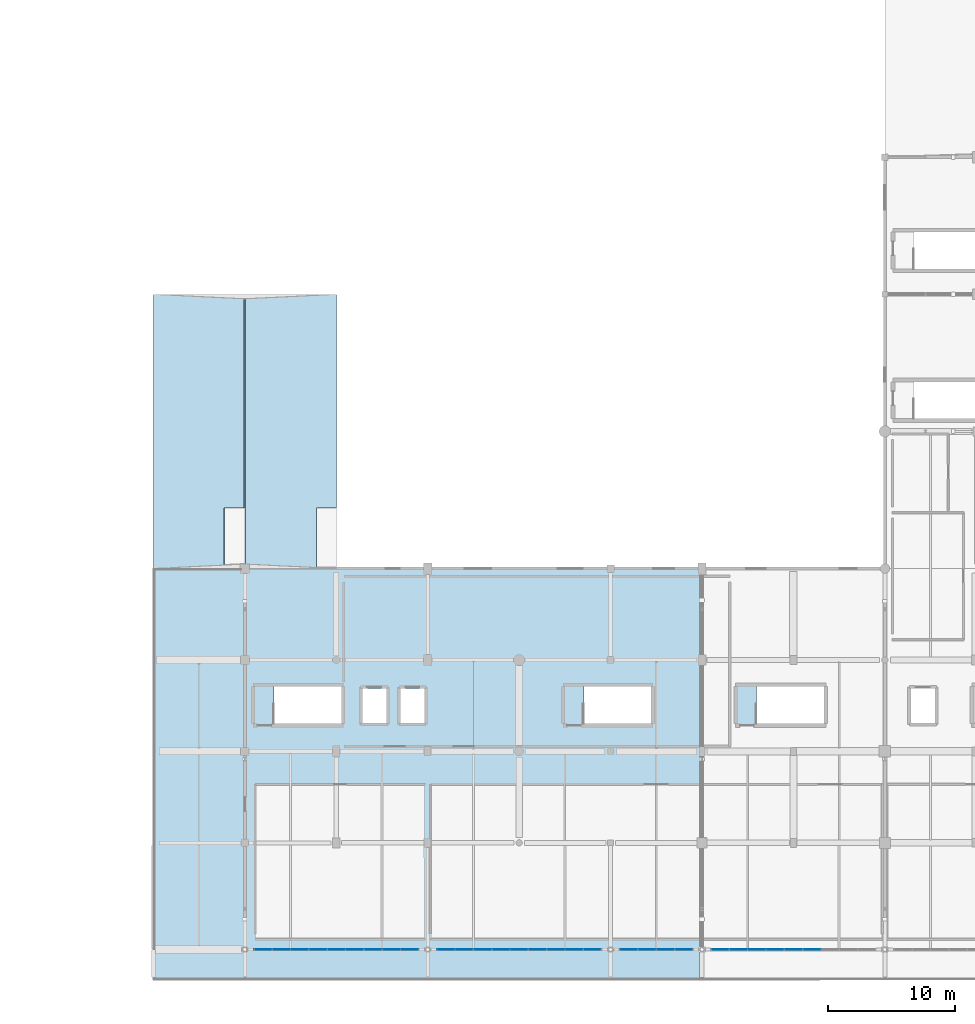
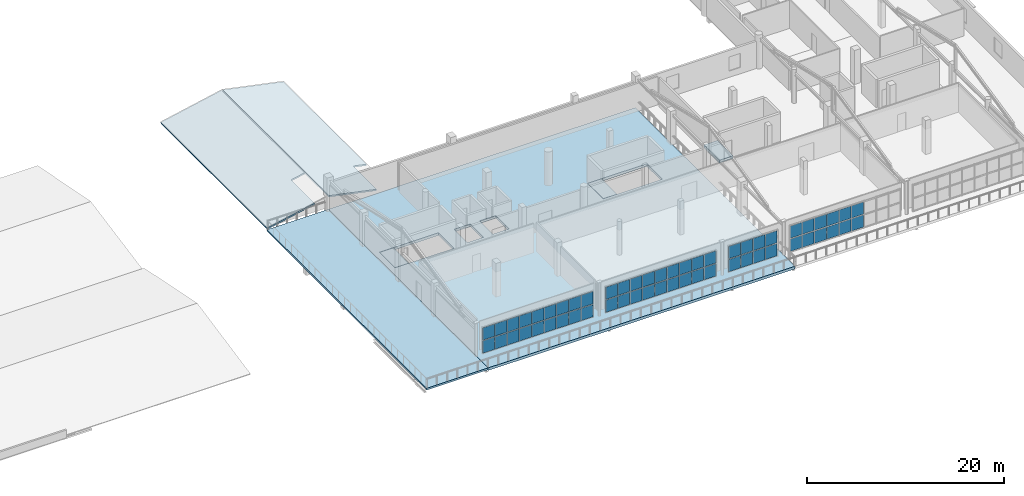
# One storey, part 22 of 41: 56 plates, 7 slabs, 4 elements without a shape of their own.
"""IFC4 building model written with IfcOpenShell, lengths in metres."""

from ifc_helpers import new_model, si_unit, direction, frame, origin, origin_2d, place, context, subcontext, project, spatial, polyline, rectangle, outline, extrude, material, layer, layer_set, type_object, element, aggregate, save


model = new_model("IFC4")

# Units and contexts
model_context = context("Model", 3, precision=1e-05, world=origin(), true_north=direction((0.0, 1.0)))
body_context = subcontext(model_context, "Body", "Model", "MODEL_VIEW")
ifc_project = project(units=[si_unit("LENGTHUNIT", "METRE"), si_unit("AREAUNIT", "SQUARE_METRE"), si_unit("VOLUMEUNIT", "CUBIC_METRE"), si_unit("PLANEANGLEUNIT", "RADIAN"), si_unit("MASSUNIT", "GRAM", prefix="KILO")], contexts=[model_context])

# Site, building, storey
site_placement = place(None, origin())
site = spatial("IfcSite", under=ifc_project, at=site_placement, CompositionType="ELEMENT")
building_placement = place(site_placement, origin())
building = spatial("IfcBuilding", under=site, at=building_placement, Name="Solanera Park Tramway Depot", CompositionType="ELEMENT")
storey_placement = place(building_placement, frame((0.0, 0.0, 13.199951171875)))
storey = spatial("IfcBuildingStorey", under=building, at=storey_placement, Name="L03", CompositionType="ELEMENT", Elevation=13.199951171875)

# Curtain wall, plates
ifc_material_1 = material(Name="Bronze-anodised thermally broken aluminium curtain wall", Category="aluminium")
curtain_wall_type = type_object("IfcCurtainWallType", Name="Cantilevered OCC Inclined Glazing Wall", PredefinedType="NOTDEFINED", material=ifc_material_1)
curtain_wall_1_placement = place(storey_placement, origin())
curtain_wall_1 = element("IfcCurtainWall", 1, at=curtain_wall_1_placement, inside=storey, type_object=curtain_wall_type, Name="L03 Cantilevered OCC Inclined Glazing Wall #121", PredefinedType="NOTDEFINED")
ifc_material_2 = material(Name="Low-E laminated solar-control double glazing", Category="glass")
ifc_layer_1 = layer(ifc_material_2, 0.028076171875)
ifc_layer_set_1 = layer_set([ifc_layer_1], Name="Low-E laminated solar-control double glazing")
plate_type = type_object("IfcPlateType", Name="Curtain Wall Double Glazing Panel 28", PredefinedType="CURTAIN_PANEL", material=ifc_layer_set_1)
plate_1_placement = place(storey_placement, frame((116.638427734375, 2.39990234375, 0.11181640625), z_axis=(0.0, 0.0, 1.0), x_axis=(1.0, 0.0, 0.0)))
plate_1 = element("IfcPlate", 2, at=plate_1_placement, type_object=plate_type, Name="CW-L03-121 Glazing Panel R1.C1", PredefinedType="CURTAIN_PANEL", context=body_context, shape_type="SweptSolid", body=[
    extrude(rectangle(XDim=1.35986328125, YDim=0.028076171875, at=origin_2d()), origin(), (0.0, 0.0, 1.0), 1.510986328125),
])
plate_2_placement = place(storey_placement, frame((118.066650390625, 2.39990234375, 0.11181640625), z_axis=(0.0, 0.0, 1.0), x_axis=(1.0, 0.0, 0.0)))
plate_2 = element("IfcPlate", 3, at=plate_2_placement, type_object=plate_type, Name="CW-L03-121 Glazing Panel R1.C2", PredefinedType="CURTAIN_PANEL", context=body_context, shape_type="SweptSolid", body=[
    extrude(rectangle(XDim=1.392333984375, YDim=0.028076171875, at=origin_2d()), origin(), (0.0, 0.0, 1.0), 1.510986328125),
])
plate_3_placement = place(storey_placement, frame((119.510986328125, 2.39990234375, 0.11181640625), z_axis=(0.0, 0.0, 1.0), x_axis=(1.0, 0.0, 0.0)))
plate_3 = element("IfcPlate", 4, at=plate_3_placement, type_object=plate_type, Name="CW-L03-121 Glazing Panel R1.C3", PredefinedType="CURTAIN_PANEL", context=body_context, shape_type="SweptSolid", body=[
    extrude(rectangle(XDim=1.392333984375, YDim=0.028076171875, at=origin_2d()), origin(), (0.0, 0.0, 1.0), 1.510986328125),
])
plate_4_placement = place(storey_placement, frame((120.95556640625, 2.39990234375, 0.11181640625), z_axis=(0.0, 0.0, 1.0), x_axis=(1.0, 0.0, 0.0)))
plate_4 = element("IfcPlate", 5, at=plate_4_placement, type_object=plate_type, Name="CW-L03-121 Glazing Panel R1.C4", PredefinedType="CURTAIN_PANEL", context=body_context, shape_type="SweptSolid", body=[
    extrude(rectangle(XDim=1.392333984375, YDim=0.028076171875, at=origin_2d()), origin(), (0.0, 0.0, 1.0), 1.510986328125),
])
plate_5_placement = place(storey_placement, frame((122.39990234375, 2.39990234375, 0.11181640625), z_axis=(0.0, 0.0, 1.0), x_axis=(1.0, 0.0, 0.0)))
plate_5 = element("IfcPlate", 6, at=plate_5_placement, type_object=plate_type, Name="CW-L03-121 Glazing Panel R1.C5", PredefinedType="CURTAIN_PANEL", context=body_context, shape_type="SweptSolid", body=[
    extrude(rectangle(XDim=1.392333984375, YDim=0.028076171875, at=origin_2d()), origin(), (0.0, 0.0, 1.0), 1.510986328125),
])
plate_6_placement = place(storey_placement, frame((123.844482421875, 2.39990234375, 0.11181640625), z_axis=(0.0, 0.0, 1.0), x_axis=(1.0, 0.0, 0.0)))
plate_6 = element("IfcPlate", 7, at=plate_6_placement, type_object=plate_type, Name="CW-L03-121 Glazing Panel R1.C6", PredefinedType="CURTAIN_PANEL", context=body_context, shape_type="SweptSolid", body=[
    extrude(rectangle(XDim=1.392333984375, YDim=0.028076171875, at=origin_2d()), origin(), (0.0, 0.0, 1.0), 1.510986328125),
])
plate_7_placement = place(storey_placement, frame((125.288818359375, 2.39990234375, 0.11181640625), z_axis=(0.0, 0.0, 1.0), x_axis=(1.0, 0.0, 0.0)))
plate_7 = element("IfcPlate", 8, at=plate_7_placement, type_object=plate_type, Name="CW-L03-121 Glazing Panel R1.C7", PredefinedType="CURTAIN_PANEL", context=body_context, shape_type="SweptSolid", body=[
    extrude(rectangle(XDim=1.392333984375, YDim=0.028076171875, at=origin_2d()), origin(), (0.0, 0.0, 1.0), 1.510986328125),
])
plate_8_placement = place(storey_placement, frame((126.7333984375, 2.39990234375, 0.11181640625), z_axis=(0.0, 0.0, 1.0), x_axis=(1.0, 0.0, 0.0)))
plate_8 = element("IfcPlate", 9, at=plate_8_placement, type_object=plate_type, Name="CW-L03-121 Glazing Panel R1.C8", PredefinedType="CURTAIN_PANEL", context=body_context, shape_type="SweptSolid", body=[
    extrude(rectangle(XDim=1.392333984375, YDim=0.028076171875, at=origin_2d()), origin(), (0.0, 0.0, 1.0), 1.510986328125),
])
plate_9_placement = place(storey_placement, frame((128.16162109375, 2.39990234375, 0.11181640625), z_axis=(0.0, 0.0, 1.0), x_axis=(1.0, 0.0, 0.0)))
plate_9 = element("IfcPlate", 10, at=plate_9_placement, type_object=plate_type, Name="CW-L03-121 Glazing Panel R1.C9", PredefinedType="CURTAIN_PANEL", context=body_context, shape_type="SweptSolid", body=[
    extrude(rectangle(XDim=1.35986328125, YDim=0.028076171875, at=origin_2d()), origin(), (0.0, 0.0, 1.0), 1.510986328125),
])
plate_10_placement = place(storey_placement, frame((116.638427734375, 2.39990234375, 1.72705078125), z_axis=(0.0, 0.0, 1.0), x_axis=(1.0, 0.0, 0.0)))
plate_10 = element("IfcPlate", 11, at=plate_10_placement, type_object=plate_type, Name="CW-L03-121 Glazing Panel R2.C1", PredefinedType="CURTAIN_PANEL", context=body_context, shape_type="SweptSolid", body=[
    extrude(rectangle(XDim=1.35986328125, YDim=0.028076171875, at=origin_2d()), origin(), (0.0, 0.0, 1.0), 1.510986328125),
])
plate_11_placement = place(storey_placement, frame((118.066650390625, 2.39990234375, 1.72705078125), z_axis=(0.0, 0.0, 1.0), x_axis=(1.0, 0.0, 0.0)))
plate_11 = element("IfcPlate", 12, at=plate_11_placement, type_object=plate_type, Name="CW-L03-121 Glazing Panel R2.C2", PredefinedType="CURTAIN_PANEL", context=body_context, shape_type="SweptSolid", body=[
    extrude(rectangle(XDim=1.392333984375, YDim=0.028076171875, at=origin_2d()), origin(), (0.0, 0.0, 1.0), 1.510986328125),
])
plate_12_placement = place(storey_placement, frame((119.510986328125, 2.39990234375, 1.72705078125), z_axis=(0.0, 0.0, 1.0), x_axis=(1.0, 0.0, 0.0)))
plate_12 = element("IfcPlate", 13, at=plate_12_placement, type_object=plate_type, Name="CW-L03-121 Glazing Panel R2.C3", PredefinedType="CURTAIN_PANEL", context=body_context, shape_type="SweptSolid", body=[
    extrude(rectangle(XDim=1.392333984375, YDim=0.028076171875, at=origin_2d()), origin(), (0.0, 0.0, 1.0), 1.510986328125),
])
plate_13_placement = place(storey_placement, frame((120.95556640625, 2.39990234375, 1.72705078125), z_axis=(0.0, 0.0, 1.0), x_axis=(1.0, 0.0, 0.0)))
plate_13 = element("IfcPlate", 14, at=plate_13_placement, type_object=plate_type, Name="CW-L03-121 Glazing Panel R2.C4", PredefinedType="CURTAIN_PANEL", context=body_context, shape_type="SweptSolid", body=[
    extrude(rectangle(XDim=1.392333984375, YDim=0.028076171875, at=origin_2d()), origin(), (0.0, 0.0, 1.0), 1.510986328125),
])
plate_14_placement = place(storey_placement, frame((122.39990234375, 2.39990234375, 1.72705078125), z_axis=(0.0, 0.0, 1.0), x_axis=(1.0, 0.0, 0.0)))
plate_14 = element("IfcPlate", 15, at=plate_14_placement, type_object=plate_type, Name="CW-L03-121 Glazing Panel R2.C5", PredefinedType="CURTAIN_PANEL", context=body_context, shape_type="SweptSolid", body=[
    extrude(rectangle(XDim=1.392333984375, YDim=0.028076171875, at=origin_2d()), origin(), (0.0, 0.0, 1.0), 1.510986328125),
])
plate_15_placement = place(storey_placement, frame((123.844482421875, 2.39990234375, 1.72705078125), z_axis=(0.0, 0.0, 1.0), x_axis=(1.0, 0.0, 0.0)))
plate_15 = element("IfcPlate", 16, at=plate_15_placement, type_object=plate_type, Name="CW-L03-121 Glazing Panel R2.C6", PredefinedType="CURTAIN_PANEL", context=body_context, shape_type="SweptSolid", body=[
    extrude(rectangle(XDim=1.392333984375, YDim=0.028076171875, at=origin_2d()), origin(), (0.0, 0.0, 1.0), 1.510986328125),
])
plate_16_placement = place(storey_placement, frame((125.288818359375, 2.39990234375, 1.72705078125), z_axis=(0.0, 0.0, 1.0), x_axis=(1.0, 0.0, 0.0)))
plate_16 = element("IfcPlate", 17, at=plate_16_placement, type_object=plate_type, Name="CW-L03-121 Glazing Panel R2.C7", PredefinedType="CURTAIN_PANEL", context=body_context, shape_type="SweptSolid", body=[
    extrude(rectangle(XDim=1.392333984375, YDim=0.028076171875, at=origin_2d()), origin(), (0.0, 0.0, 1.0), 1.510986328125),
])
plate_17_placement = place(storey_placement, frame((126.7333984375, 2.39990234375, 1.72705078125), z_axis=(0.0, 0.0, 1.0), x_axis=(1.0, 0.0, 0.0)))
plate_17 = element("IfcPlate", 18, at=plate_17_placement, type_object=plate_type, Name="CW-L03-121 Glazing Panel R2.C8", PredefinedType="CURTAIN_PANEL", context=body_context, shape_type="SweptSolid", body=[
    extrude(rectangle(XDim=1.392333984375, YDim=0.028076171875, at=origin_2d()), origin(), (0.0, 0.0, 1.0), 1.510986328125),
])
plate_18_placement = place(storey_placement, frame((128.16162109375, 2.39990234375, 1.72705078125), z_axis=(0.0, 0.0, 1.0), x_axis=(1.0, 0.0, 0.0)))
plate_18 = element("IfcPlate", 19, at=plate_18_placement, type_object=plate_type, Name="CW-L03-121 Glazing Panel R2.C9", PredefinedType="CURTAIN_PANEL", context=body_context, shape_type="SweptSolid", body=[
    extrude(rectangle(XDim=1.35986328125, YDim=0.028076171875, at=origin_2d()), origin(), (0.0, 0.0, 1.0), 1.510986328125),
])
aggregate(curtain_wall_1, [plate_1, plate_2, plate_3, plate_4, plate_5, plate_6, plate_7, plate_8, plate_9, plate_10, plate_11, plate_12, plate_13, plate_14, plate_15, plate_16, plate_17, plate_18])

curtain_wall_2_placement = place(storey_placement, origin())
curtain_wall_2 = element("IfcCurtainWall", 20, at=curtain_wall_2_placement, inside=storey, type_object=curtain_wall_type, Name="L03 Cantilevered OCC Inclined Glazing Wall #122", PredefinedType="NOTDEFINED")
plate_19_placement = place(storey_placement, frame((131.03857421875, 2.39990234375, 0.11181640625), z_axis=(0.0, 0.0, 1.0), x_axis=(1.0, 0.0, 0.0)))
plate_19 = element("IfcPlate", 21, at=plate_19_placement, type_object=plate_type, Name="CW-L03-122 Glazing Panel R1.C1", PredefinedType="CURTAIN_PANEL", context=body_context, shape_type="SweptSolid", body=[
    extrude(rectangle(XDim=1.35986328125, YDim=0.028076171875, at=origin_2d()), origin(), (0.0, 0.0, 1.0), 1.510986328125),
])
plate_20_placement = place(storey_placement, frame((132.466796875, 2.39990234375, 0.11181640625), z_axis=(0.0, 0.0, 1.0), x_axis=(1.0, 0.0, 0.0)))
plate_20 = element("IfcPlate", 22, at=plate_20_placement, type_object=plate_type, Name="CW-L03-122 Glazing Panel R1.C2", PredefinedType="CURTAIN_PANEL", context=body_context, shape_type="SweptSolid", body=[
    extrude(rectangle(XDim=1.392333984375, YDim=0.028076171875, at=origin_2d()), origin(), (0.0, 0.0, 1.0), 1.510986328125),
])
plate_21_placement = place(storey_placement, frame((133.9111328125, 2.39990234375, 0.11181640625), z_axis=(0.0, 0.0, 1.0), x_axis=(1.0, 0.0, 0.0)))
plate_21 = element("IfcPlate", 23, at=plate_21_placement, type_object=plate_type, Name="CW-L03-122 Glazing Panel R1.C3", PredefinedType="CURTAIN_PANEL", context=body_context, shape_type="SweptSolid", body=[
    extrude(rectangle(XDim=1.392333984375, YDim=0.028076171875, at=origin_2d()), origin(), (0.0, 0.0, 1.0), 1.510986328125),
])
plate_22_placement = place(storey_placement, frame((135.355712890625, 2.39990234375, 0.11181640625), z_axis=(0.0, 0.0, 1.0), x_axis=(1.0, 0.0, 0.0)))
plate_22 = element("IfcPlate", 24, at=plate_22_placement, type_object=plate_type, Name="CW-L03-122 Glazing Panel R1.C4", PredefinedType="CURTAIN_PANEL", context=body_context, shape_type="SweptSolid", body=[
    extrude(rectangle(XDim=1.392333984375, YDim=0.028076171875, at=origin_2d()), origin(), (0.0, 0.0, 1.0), 1.510986328125),
])
plate_23_placement = place(storey_placement, frame((136.800048828125, 2.39990234375, 0.11181640625), z_axis=(0.0, 0.0, 1.0), x_axis=(1.0, 0.0, 0.0)))
plate_23 = element("IfcPlate", 25, at=plate_23_placement, type_object=plate_type, Name="CW-L03-122 Glazing Panel R1.C5", PredefinedType="CURTAIN_PANEL", context=body_context, shape_type="SweptSolid", body=[
    extrude(rectangle(XDim=1.392333984375, YDim=0.028076171875, at=origin_2d()), origin(), (0.0, 0.0, 1.0), 1.510986328125),
])
plate_24_placement = place(storey_placement, frame((138.244384765625, 2.39990234375, 0.11181640625), z_axis=(0.0, 0.0, 1.0), x_axis=(1.0, 0.0, 0.0)))
plate_24 = element("IfcPlate", 26, at=plate_24_placement, type_object=plate_type, Name="CW-L03-122 Glazing Panel R1.C6", PredefinedType="CURTAIN_PANEL", context=body_context, shape_type="SweptSolid", body=[
    extrude(rectangle(XDim=1.392333984375, YDim=0.028076171875, at=origin_2d()), origin(), (0.0, 0.0, 1.0), 1.510986328125),
])
plate_25_placement = place(storey_placement, frame((139.68896484375, 2.39990234375, 0.11181640625), z_axis=(0.0, 0.0, 1.0), x_axis=(1.0, 0.0, 0.0)))
plate_25 = element("IfcPlate", 27, at=plate_25_placement, type_object=plate_type, Name="CW-L03-122 Glazing Panel R1.C7", PredefinedType="CURTAIN_PANEL", context=body_context, shape_type="SweptSolid", body=[
    extrude(rectangle(XDim=1.392333984375, YDim=0.028076171875, at=origin_2d()), origin(), (0.0, 0.0, 1.0), 1.510986328125),
])
plate_26_placement = place(storey_placement, frame((141.13330078125, 2.39990234375, 0.11181640625), z_axis=(0.0, 0.0, 1.0), x_axis=(1.0, 0.0, 0.0)))
plate_26 = element("IfcPlate", 28, at=plate_26_placement, type_object=plate_type, Name="CW-L03-122 Glazing Panel R1.C8", PredefinedType="CURTAIN_PANEL", context=body_context, shape_type="SweptSolid", body=[
    extrude(rectangle(XDim=1.392333984375, YDim=0.028076171875, at=origin_2d()), origin(), (0.0, 0.0, 1.0), 1.510986328125),
])
plate_27_placement = place(storey_placement, frame((142.5615234375, 2.39990234375, 0.11181640625), z_axis=(0.0, 0.0, 1.0), x_axis=(1.0, 0.0, 0.0)))
plate_27 = element("IfcPlate", 29, at=plate_27_placement, type_object=plate_type, Name="CW-L03-122 Glazing Panel R1.C9", PredefinedType="CURTAIN_PANEL", context=body_context, shape_type="SweptSolid", body=[
    extrude(rectangle(XDim=1.35986328125, YDim=0.028076171875, at=origin_2d()), origin(), (0.0, 0.0, 1.0), 1.510986328125),
])
plate_28_placement = place(storey_placement, frame((131.03857421875, 2.39990234375, 1.72705078125), z_axis=(0.0, 0.0, 1.0), x_axis=(1.0, 0.0, 0.0)))
plate_28 = element("IfcPlate", 30, at=plate_28_placement, type_object=plate_type, Name="CW-L03-122 Glazing Panel R2.C1", PredefinedType="CURTAIN_PANEL", context=body_context, shape_type="SweptSolid", body=[
    extrude(rectangle(XDim=1.35986328125, YDim=0.028076171875, at=origin_2d()), origin(), (0.0, 0.0, 1.0), 1.510986328125),
])
plate_29_placement = place(storey_placement, frame((132.466796875, 2.39990234375, 1.72705078125), z_axis=(0.0, 0.0, 1.0), x_axis=(1.0, 0.0, 0.0)))
plate_29 = element("IfcPlate", 31, at=plate_29_placement, type_object=plate_type, Name="CW-L03-122 Glazing Panel R2.C2", PredefinedType="CURTAIN_PANEL", context=body_context, shape_type="SweptSolid", body=[
    extrude(rectangle(XDim=1.392333984375, YDim=0.028076171875, at=origin_2d()), origin(), (0.0, 0.0, 1.0), 1.510986328125),
])
plate_30_placement = place(storey_placement, frame((133.9111328125, 2.39990234375, 1.72705078125), z_axis=(0.0, 0.0, 1.0), x_axis=(1.0, 0.0, 0.0)))
plate_30 = element("IfcPlate", 32, at=plate_30_placement, type_object=plate_type, Name="CW-L03-122 Glazing Panel R2.C3", PredefinedType="CURTAIN_PANEL", context=body_context, shape_type="SweptSolid", body=[
    extrude(rectangle(XDim=1.392333984375, YDim=0.028076171875, at=origin_2d()), origin(), (0.0, 0.0, 1.0), 1.510986328125),
])
plate_31_placement = place(storey_placement, frame((135.355712890625, 2.39990234375, 1.72705078125), z_axis=(0.0, 0.0, 1.0), x_axis=(1.0, 0.0, 0.0)))
plate_31 = element("IfcPlate", 33, at=plate_31_placement, type_object=plate_type, Name="CW-L03-122 Glazing Panel R2.C4", PredefinedType="CURTAIN_PANEL", context=body_context, shape_type="SweptSolid", body=[
    extrude(rectangle(XDim=1.392333984375, YDim=0.028076171875, at=origin_2d()), origin(), (0.0, 0.0, 1.0), 1.510986328125),
])
plate_32_placement = place(storey_placement, frame((136.800048828125, 2.39990234375, 1.72705078125), z_axis=(0.0, 0.0, 1.0), x_axis=(1.0, 0.0, 0.0)))
plate_32 = element("IfcPlate", 34, at=plate_32_placement, type_object=plate_type, Name="CW-L03-122 Glazing Panel R2.C5", PredefinedType="CURTAIN_PANEL", context=body_context, shape_type="SweptSolid", body=[
    extrude(rectangle(XDim=1.392333984375, YDim=0.028076171875, at=origin_2d()), origin(), (0.0, 0.0, 1.0), 1.510986328125),
])
plate_33_placement = place(storey_placement, frame((138.244384765625, 2.39990234375, 1.72705078125), z_axis=(0.0, 0.0, 1.0), x_axis=(1.0, 0.0, 0.0)))
plate_33 = element("IfcPlate", 35, at=plate_33_placement, type_object=plate_type, Name="CW-L03-122 Glazing Panel R2.C6", PredefinedType="CURTAIN_PANEL", context=body_context, shape_type="SweptSolid", body=[
    extrude(rectangle(XDim=1.392333984375, YDim=0.028076171875, at=origin_2d()), origin(), (0.0, 0.0, 1.0), 1.510986328125),
])
plate_34_placement = place(storey_placement, frame((139.68896484375, 2.39990234375, 1.72705078125), z_axis=(0.0, 0.0, 1.0), x_axis=(1.0, 0.0, 0.0)))
plate_34 = element("IfcPlate", 36, at=plate_34_placement, type_object=plate_type, Name="CW-L03-122 Glazing Panel R2.C7", PredefinedType="CURTAIN_PANEL", context=body_context, shape_type="SweptSolid", body=[
    extrude(rectangle(XDim=1.392333984375, YDim=0.028076171875, at=origin_2d()), origin(), (0.0, 0.0, 1.0), 1.510986328125),
])
plate_35_placement = place(storey_placement, frame((141.13330078125, 2.39990234375, 1.72705078125), z_axis=(0.0, 0.0, 1.0), x_axis=(1.0, 0.0, 0.0)))
plate_35 = element("IfcPlate", 37, at=plate_35_placement, type_object=plate_type, Name="CW-L03-122 Glazing Panel R2.C8", PredefinedType="CURTAIN_PANEL", context=body_context, shape_type="SweptSolid", body=[
    extrude(rectangle(XDim=1.392333984375, YDim=0.028076171875, at=origin_2d()), origin(), (0.0, 0.0, 1.0), 1.510986328125),
])
plate_36_placement = place(storey_placement, frame((142.5615234375, 2.39990234375, 1.72705078125), z_axis=(0.0, 0.0, 1.0), x_axis=(1.0, 0.0, 0.0)))
plate_36 = element("IfcPlate", 38, at=plate_36_placement, type_object=plate_type, Name="CW-L03-122 Glazing Panel R2.C9", PredefinedType="CURTAIN_PANEL", context=body_context, shape_type="SweptSolid", body=[
    extrude(rectangle(XDim=1.35986328125, YDim=0.028076171875, at=origin_2d()), origin(), (0.0, 0.0, 1.0), 1.510986328125),
])
aggregate(curtain_wall_2, [plate_19, plate_20, plate_21, plate_22, plate_23, plate_24, plate_25, plate_26, plate_27, plate_28, plate_29, plate_30, plate_31, plate_32, plate_33, plate_34, plate_35, plate_36])

curtain_wall_3_placement = place(storey_placement, origin())
curtain_wall_3 = element("IfcCurtainWall", 39, at=curtain_wall_3_placement, inside=storey, type_object=curtain_wall_type, Name="L03 Cantilevered OCC Inclined Glazing Wall #123", PredefinedType="NOTDEFINED")
plate_37_placement = place(storey_placement, frame((145.441162109375, 2.39990234375, 0.11181640625), z_axis=(0.0, 0.0, 1.0), x_axis=(1.0, 0.0, 0.0)))
plate_37 = element("IfcPlate", 40, at=plate_37_placement, type_object=plate_type, Name="CW-L03-123 Glazing Panel R1.C1", PredefinedType="CURTAIN_PANEL", context=body_context, shape_type="SweptSolid", body=[
    extrude(rectangle(XDim=1.365478515625, YDim=0.028076171875, at=origin_2d()), origin(), (0.0, 0.0, 1.0), 1.510986328125),
])
plate_38_placement = place(storey_placement, frame((146.875, 2.39990234375, 0.11181640625), z_axis=(0.0, 0.0, 1.0), x_axis=(1.0, 0.0, 0.0)))
plate_38 = element("IfcPlate", 41, at=plate_38_placement, type_object=plate_type, Name="CW-L03-123 Glazing Panel R1.C2", PredefinedType="CURTAIN_PANEL", context=body_context, shape_type="SweptSolid", body=[
    extrude(rectangle(XDim=1.39794921875, YDim=0.028076171875, at=origin_2d()), origin(), (0.0, 0.0, 1.0), 1.510986328125),
])
plate_39_placement = place(storey_placement, frame((148.324951171875, 2.39990234375, 0.11181640625), z_axis=(0.0, 0.0, 1.0), x_axis=(1.0, 0.0, 0.0)))
plate_39 = element("IfcPlate", 42, at=plate_39_placement, type_object=plate_type, Name="CW-L03-123 Glazing Panel R1.C3", PredefinedType="CURTAIN_PANEL", context=body_context, shape_type="SweptSolid", body=[
    extrude(rectangle(XDim=1.39794921875, YDim=0.028076171875, at=origin_2d()), origin(), (0.0, 0.0, 1.0), 1.510986328125),
])
plate_40_placement = place(storey_placement, frame((149.7587890625, 2.39990234375, 0.11181640625), z_axis=(0.0, 0.0, 1.0), x_axis=(1.0, 0.0, 0.0)))
plate_40 = element("IfcPlate", 43, at=plate_40_placement, type_object=plate_type, Name="CW-L03-123 Glazing Panel R1.C4", PredefinedType="CURTAIN_PANEL", context=body_context, shape_type="SweptSolid", body=[
    extrude(rectangle(XDim=1.365478515625, YDim=0.028076171875, at=origin_2d()), origin(), (0.0, 0.0, 1.0), 1.510986328125),
])
plate_41_placement = place(storey_placement, frame((145.441162109375, 2.39990234375, 1.72705078125), z_axis=(0.0, 0.0, 1.0), x_axis=(1.0, 0.0, 0.0)))
plate_41 = element("IfcPlate", 44, at=plate_41_placement, type_object=plate_type, Name="CW-L03-123 Glazing Panel R2.C1", PredefinedType="CURTAIN_PANEL", context=body_context, shape_type="SweptSolid", body=[
    extrude(rectangle(XDim=1.365478515625, YDim=0.028076171875, at=origin_2d()), origin(), (0.0, 0.0, 1.0), 1.510986328125),
])
plate_42_placement = place(storey_placement, frame((146.875, 2.39990234375, 1.72705078125), z_axis=(0.0, 0.0, 1.0), x_axis=(1.0, 0.0, 0.0)))
plate_42 = element("IfcPlate", 45, at=plate_42_placement, type_object=plate_type, Name="CW-L03-123 Glazing Panel R2.C2", PredefinedType="CURTAIN_PANEL", context=body_context, shape_type="SweptSolid", body=[
    extrude(rectangle(XDim=1.39794921875, YDim=0.028076171875, at=origin_2d()), origin(), (0.0, 0.0, 1.0), 1.510986328125),
])
plate_43_placement = place(storey_placement, frame((148.324951171875, 2.39990234375, 1.72705078125), z_axis=(0.0, 0.0, 1.0), x_axis=(1.0, 0.0, 0.0)))
plate_43 = element("IfcPlate", 46, at=plate_43_placement, type_object=plate_type, Name="CW-L03-123 Glazing Panel R2.C3", PredefinedType="CURTAIN_PANEL", context=body_context, shape_type="SweptSolid", body=[
    extrude(rectangle(XDim=1.39794921875, YDim=0.028076171875, at=origin_2d()), origin(), (0.0, 0.0, 1.0), 1.510986328125),
])
plate_44_placement = place(storey_placement, frame((149.7587890625, 2.39990234375, 1.72705078125), z_axis=(0.0, 0.0, 1.0), x_axis=(1.0, 0.0, 0.0)))
plate_44 = element("IfcPlate", 47, at=plate_44_placement, type_object=plate_type, Name="CW-L03-123 Glazing Panel R2.C4", PredefinedType="CURTAIN_PANEL", context=body_context, shape_type="SweptSolid", body=[
    extrude(rectangle(XDim=1.365478515625, YDim=0.028076171875, at=origin_2d()), origin(), (0.0, 0.0, 1.0), 1.510986328125),
])
aggregate(curtain_wall_3, [plate_37, plate_38, plate_39, plate_40, plate_41, plate_42, plate_43, plate_44])

curtain_wall_4_placement = place(storey_placement, origin())
curtain_wall_4 = element("IfcCurtainWall", 48, at=curtain_wall_4_placement, inside=storey, type_object=curtain_wall_type, Name="L03 Cantilevered OCC Inclined Glazing Wall #124", PredefinedType="NOTDEFINED")
plate_45_placement = place(storey_placement, frame((152.638427734375, 2.39990234375, 0.11181640625), z_axis=(0.0, 0.0, 1.0), x_axis=(1.0, 0.0, 0.0)))
plate_45 = element("IfcPlate", 49, at=plate_45_placement, type_object=plate_type, Name="CW-L03-124 Glazing Panel R1.C1", PredefinedType="CURTAIN_PANEL", context=body_context, shape_type="SweptSolid", body=[
    extrude(rectangle(XDim=1.35986328125, YDim=0.028076171875, at=origin_2d()), origin(), (0.0, 0.0, 1.0), 1.510986328125),
])
plate_46_placement = place(storey_placement, frame((154.066650390625, 2.39990234375, 0.11181640625), z_axis=(0.0, 0.0, 1.0), x_axis=(1.0, 0.0, 0.0)))
plate_46 = element("IfcPlate", 50, at=plate_46_placement, type_object=plate_type, Name="CW-L03-124 Glazing Panel R1.C2", PredefinedType="CURTAIN_PANEL", context=body_context, shape_type="SweptSolid", body=[
    extrude(rectangle(XDim=1.392333984375, YDim=0.028076171875, at=origin_2d()), origin(), (0.0, 0.0, 1.0), 1.510986328125),
])
plate_47_placement = place(storey_placement, frame((155.510986328125, 2.39990234375, 0.11181640625), z_axis=(0.0, 0.0, 1.0), x_axis=(1.0, 0.0, 0.0)))
plate_47 = element("IfcPlate", 51, at=plate_47_placement, type_object=plate_type, Name="CW-L03-124 Glazing Panel R1.C3", PredefinedType="CURTAIN_PANEL", context=body_context, shape_type="SweptSolid", body=[
    extrude(rectangle(XDim=1.392333984375, YDim=0.028076171875, at=origin_2d()), origin(), (0.0, 0.0, 1.0), 1.510986328125),
])
plate_48_placement = place(storey_placement, frame((156.95556640625, 2.39990234375, 0.11181640625), z_axis=(0.0, 0.0, 1.0), x_axis=(1.0, 0.0, 0.0)))
plate_48 = element("IfcPlate", 52, at=plate_48_placement, type_object=plate_type, Name="CW-L03-124 Glazing Panel R1.C4", PredefinedType="CURTAIN_PANEL", context=body_context, shape_type="SweptSolid", body=[
    extrude(rectangle(XDim=1.392333984375, YDim=0.028076171875, at=origin_2d()), origin(), (0.0, 0.0, 1.0), 1.510986328125),
])
plate_49_placement = place(storey_placement, frame((158.39990234375, 2.39990234375, 0.11181640625), z_axis=(0.0, 0.0, 1.0), x_axis=(1.0, 0.0, 0.0)))
plate_49 = element("IfcPlate", 53, at=plate_49_placement, type_object=plate_type, Name="CW-L03-124 Glazing Panel R1.C5", PredefinedType="CURTAIN_PANEL", context=body_context, shape_type="SweptSolid", body=[
    extrude(rectangle(XDim=1.392333984375, YDim=0.028076171875, at=origin_2d()), origin(), (0.0, 0.0, 1.0), 1.510986328125),
])
plate_50_placement = place(storey_placement, frame((159.844482421875, 2.39990234375, 0.11181640625), z_axis=(0.0, 0.0, 1.0), x_axis=(1.0, 0.0, 0.0)))
plate_50 = element("IfcPlate", 54, at=plate_50_placement, type_object=plate_type, Name="CW-L03-124 Glazing Panel R1.C6", PredefinedType="CURTAIN_PANEL", context=body_context, shape_type="SweptSolid", body=[
    extrude(rectangle(XDim=1.392333984375, YDim=0.028076171875, at=origin_2d()), origin(), (0.0, 0.0, 1.0), 1.510986328125),
])
plate_51_placement = place(storey_placement, frame((152.638427734375, 2.39990234375, 1.72705078125), z_axis=(0.0, 0.0, 1.0), x_axis=(1.0, 0.0, 0.0)))
plate_51 = element("IfcPlate", 55, at=plate_51_placement, type_object=plate_type, Name="CW-L03-124 Glazing Panel R2.C1", PredefinedType="CURTAIN_PANEL", context=body_context, shape_type="SweptSolid", body=[
    extrude(rectangle(XDim=1.35986328125, YDim=0.028076171875, at=origin_2d()), origin(), (0.0, 0.0, 1.0), 1.510986328125),
])
plate_52_placement = place(storey_placement, frame((154.066650390625, 2.39990234375, 1.72705078125), z_axis=(0.0, 0.0, 1.0), x_axis=(1.0, 0.0, 0.0)))
plate_52 = element("IfcPlate", 56, at=plate_52_placement, type_object=plate_type, Name="CW-L03-124 Glazing Panel R2.C2", PredefinedType="CURTAIN_PANEL", context=body_context, shape_type="SweptSolid", body=[
    extrude(rectangle(XDim=1.392333984375, YDim=0.028076171875, at=origin_2d()), origin(), (0.0, 0.0, 1.0), 1.510986328125),
])
plate_53_placement = place(storey_placement, frame((155.510986328125, 2.39990234375, 1.72705078125), z_axis=(0.0, 0.0, 1.0), x_axis=(1.0, 0.0, 0.0)))
plate_53 = element("IfcPlate", 57, at=plate_53_placement, type_object=plate_type, Name="CW-L03-124 Glazing Panel R2.C3", PredefinedType="CURTAIN_PANEL", context=body_context, shape_type="SweptSolid", body=[
    extrude(rectangle(XDim=1.392333984375, YDim=0.028076171875, at=origin_2d()), origin(), (0.0, 0.0, 1.0), 1.510986328125),
])
plate_54_placement = place(storey_placement, frame((156.95556640625, 2.39990234375, 1.72705078125), z_axis=(0.0, 0.0, 1.0), x_axis=(1.0, 0.0, 0.0)))
plate_54 = element("IfcPlate", 58, at=plate_54_placement, type_object=plate_type, Name="CW-L03-124 Glazing Panel R2.C4", PredefinedType="CURTAIN_PANEL", context=body_context, shape_type="SweptSolid", body=[
    extrude(rectangle(XDim=1.392333984375, YDim=0.028076171875, at=origin_2d()), origin(), (0.0, 0.0, 1.0), 1.510986328125),
])
plate_55_placement = place(storey_placement, frame((158.39990234375, 2.39990234375, 1.72705078125), z_axis=(0.0, 0.0, 1.0), x_axis=(1.0, 0.0, 0.0)))
plate_55 = element("IfcPlate", 59, at=plate_55_placement, type_object=plate_type, Name="CW-L03-124 Glazing Panel R2.C5", PredefinedType="CURTAIN_PANEL", context=body_context, shape_type="SweptSolid", body=[
    extrude(rectangle(XDim=1.392333984375, YDim=0.028076171875, at=origin_2d()), origin(), (0.0, 0.0, 1.0), 1.510986328125),
])
plate_56_placement = place(storey_placement, frame((159.844482421875, 2.39990234375, 1.72705078125), z_axis=(0.0, 0.0, 1.0), x_axis=(1.0, 0.0, 0.0)))
plate_56 = element("IfcPlate", 60, at=plate_56_placement, type_object=plate_type, Name="CW-L03-124 Glazing Panel R2.C6", PredefinedType="CURTAIN_PANEL", context=body_context, shape_type="SweptSolid", body=[
    extrude(rectangle(XDim=1.392333984375, YDim=0.028076171875, at=origin_2d()), origin(), (0.0, 0.0, 1.0), 1.510986328125),
])
aggregate(curtain_wall_4, [plate_45, plate_46, plate_47, plate_48, plate_49, plate_50, plate_51, plate_52, plate_53, plate_54, plate_55, plate_56])

# Slabs
ifc_material_3 = material(Name="Concrete N40 (C40/50)", Category="concrete")
ifc_layer_2 = layer(ifc_material_3, 0.22998046875)
ifc_layer_set_2 = layer_set([ifc_layer_2], Name="Concrete N40 (C40/50)")
slab_type_1 = type_object("IfcSlabType", Name="Slab Ext 230", PredefinedType="FLOOR", material=ifc_layer_set_2)
slab_1_placement = place(storey_placement, frame((0.0, 0.0, -0.22998046875)))
element("IfcSlab", 61, at=slab_1_placement, inside=storey, type_object=slab_type_1, Name="L03 West Cantilevered Azotea Terrace", PredefinedType="FLOOR", context=body_context, shape_type="SweptSolid", body=[
    extrude(outline(polyline([(115.199951171875, 0.0), (115.199951171875, 32.39990234375), (108.0, 32.39990234375), (108.0, 0.0), (115.199951171875, 0.0)])), origin(), (0.0, 0.0, 1.0), 0.22998046875),
])
ifc_material_4 = material(Name="Concrete N40 (C40/50)", Category="concrete")
ifc_layer_3 = layer(ifc_material_4, 0.324951171875)
ifc_layer_set_3 = layer_set([ifc_layer_3], Name="Concrete N40 (C40/50)")
slab_type_2 = type_object("IfcSlabType", Name="Slab Floor 325", PredefinedType="FLOOR", material=ifc_layer_set_3)
slab_2_placement = place(storey_placement, frame((0.0, 0.0, -0.324951171875)))
element("IfcSlab", 62, at=slab_2_placement, inside=storey, type_object=slab_type_2, Name="L03 Structural Slab SL-L03-V4HW", PredefinedType="FLOOR", context=body_context, shape_type="SweptSolid", body=[
    extrude(outline(polyline([(151.14990234375, 0.0), (115.199951171875, 0.0), (115.199951171875, 32.39990234375), (151.14990234375, 32.39990234375), (151.14990234375, 0.0)]), holes=[polyline([(122.800048828125, 20.074951171875), (122.800048828125, 23.22509765625), (115.875, 23.22509765625), (115.875, 20.074951171875), (122.800048828125, 20.074951171875)]), polyline([(140.27490234375, 20.074951171875), (147.199951171875, 20.074951171875), (147.199951171875, 23.22509765625), (140.27490234375, 23.22509765625), (140.27490234375, 20.074951171875)]), polyline([(124.449951171875, 22.949951171875), (124.449951171875, 20.25), (126.35009765625, 20.25), (126.35009765625, 22.949951171875), (124.449951171875, 22.949951171875)]), polyline([(129.35009765625, 22.949951171875), (127.449951171875, 22.949951171875), (127.449951171875, 20.25), (129.35009765625, 20.25), (129.35009765625, 22.949951171875)])]), origin(), (0.0, 0.0, 1.0), 0.324951171875),
])
ifc_material_5 = material(Name="Concrete N40 (C40/50)", Category="concrete")
ifc_layer_4 = layer(ifc_material_5, 0.179931640625)
ifc_layer_set_4 = layer_set([ifc_layer_4], Name="Concrete N40 (C40/50)")
slab_type_3 = type_object("IfcSlabType", Name="Slab Roof 180", PredefinedType="ROOF", material=ifc_layer_set_4)
slab_3_placement = place(storey_placement, frame((108.0, 32.39990234375, 0.18603515625), z_axis=(-0.203179439718, -1.924452e-06, 0.979141519532), x_axis=(0.979141519534, -2.2e-11, 0.203179439718)))
element("IfcSlab", 63, at=slab_3_placement, inside=storey, type_object=slab_type_3, Name="Pitched Roof Slab V4W-RF.1", PredefinedType="ROOF", context=body_context, shape_type="SweptSolid", body=[
    extrude(outline(polyline([(0.0, 0.0), (5.681482191185202, 0.0), (5.68148219108082, 4.752197265616201), (7.284017327465237, 4.752197265811393), (7.284017327095175, 21.600097656405193), (-4.744431270917364e-10, 21.600097656210004), (0.0, 0.0)])), origin(), (0.0, 0.0, -1.0), 0.179931640625),
])
slab_4_placement = place(storey_placement, frame((115.26806640625, 32.39990234375, 1.666015625), z_axis=(0.203192334811, -2.949256e-06, 0.97913884361), x_axis=(0.979138843614, -5.2e-11, -0.203192334812)))
element("IfcSlab", 64, at=slab_4_placement, inside=storey, type_object=slab_type_3, Name="Pitched Roof Slab V4W-RF.2", PredefinedType="ROOF", context=body_context, shape_type="SweptSolid", body=[
    extrude(outline(polyline([(0.0, 0.0), (5.681531797342099, -4.235164736271502e-22), (5.68153179709695, 4.752197265604332), (7.2837782793644275, 4.752197266062746), (7.283778278495305, 21.600097656614476), (-1.1142714950373113e-09, 21.60009765615606), (0.0, 0.0)])), origin(), (0.0, 0.0, -1.0), 0.179931640625),
])
ifc_material_6 = material(Name="Concrete N40 (C40/50)", Category="concrete")
ifc_layer_5 = layer(ifc_material_6, 0.324951171875)
ifc_layer_set_5 = layer_set([ifc_layer_5], Name="Concrete N40 (C40/50)")
slab_type_4 = type_object("IfcSlabType", Name="Slab Stair Floor Landing 325", PredefinedType="LANDING", material=ifc_layer_set_5)
slab_5_placement = place(storey_placement, frame((0.0, 0.0, -0.324951171875)))
element("IfcSlab", 65, at=slab_5_placement, inside=storey, type_object=slab_type_4, Name="ST-01 L03 Floor Landing", PredefinedType="LANDING", context=body_context, shape_type="SweptSolid", body=[
    extrude(outline(polyline([(115.8798828125, 20.080078125), (117.5, 20.080078125), (117.5, 23.219970703125), (115.8798828125, 23.219970703125), (115.8798828125, 20.080078125)])), origin(), (0.0, 0.0, 1.0), 0.324951171875),
])
slab_6_placement = place(storey_placement, frame((0.0, 0.0, -0.324951171875)))
element("IfcSlab", 66, at=slab_6_placement, inside=storey, type_object=slab_type_4, Name="ST-02 L03 Floor Landing", PredefinedType="LANDING", context=body_context, shape_type="SweptSolid", body=[
    extrude(outline(polyline([(140.280029296875, 20.080078125), (141.89990234375, 20.080078125), (141.89990234375, 23.219970703125), (140.280029296875, 23.219970703125), (140.280029296875, 20.080078125)])), origin(), (0.0, 0.0, 1.0), 0.324951171875),
])
slab_7_placement = place(storey_placement, frame((0.0, 0.0, -0.324951171875)))
element("IfcSlab", 67, at=slab_7_placement, inside=storey, type_object=slab_type_4, Name="ST-03 L03 Floor Landing", PredefinedType="LANDING", context=body_context, shape_type="SweptSolid", body=[
    extrude(outline(polyline([(153.8798828125, 20.080078125), (155.5, 20.080078125), (155.5, 23.219970703125), (153.8798828125, 23.219970703125), (153.8798828125, 20.080078125)])), origin(), (0.0, 0.0, 1.0), 0.324951171875),
])

save(model, "model.ifc")
